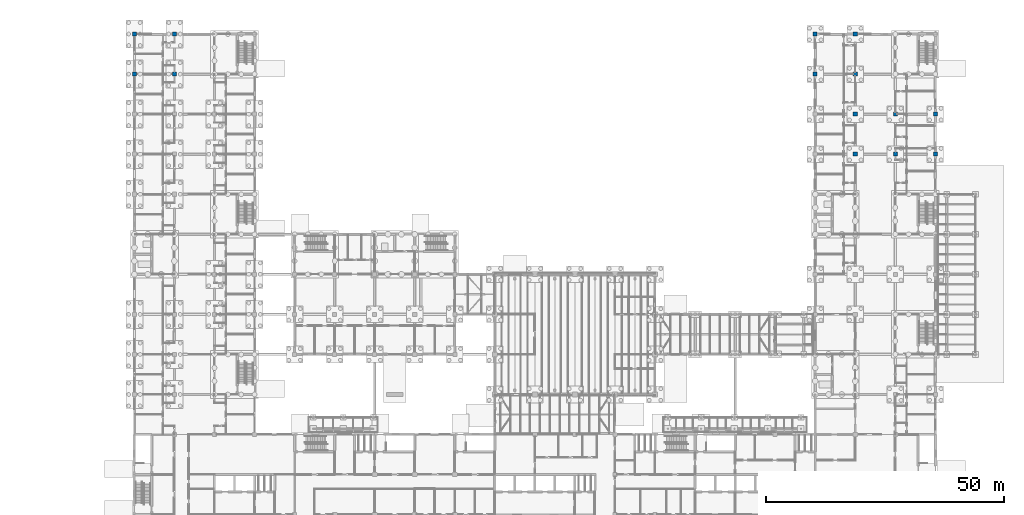
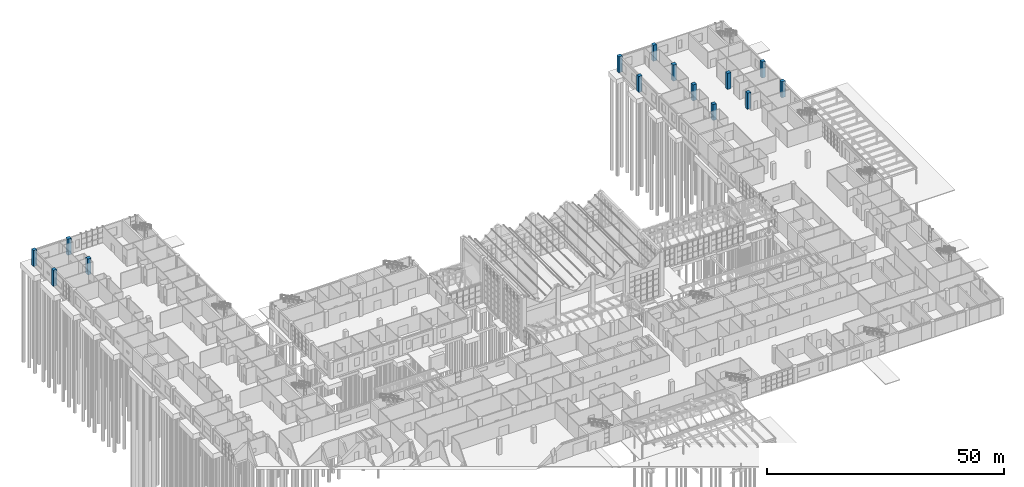
# One storey, part 29 of 138: 14 columns.
"""IFC4 building model written with IfcOpenShell, lengths in metres."""

from ifc_helpers import new_model, si_unit, direction, frame, origin, origin_2d, place, context, subcontext, project, spatial, rectangle, extrude, material, material_profile, profile_set, type_object, element, save


model = new_model("IFC4")

# Units and contexts
model_context = context("Model", 3, precision=1e-05, world=origin(), true_north=direction((0.0, 1.0)))
body_context = subcontext(model_context, "Body", "Model", "MODEL_VIEW")
ifc_project = project(units=[si_unit("LENGTHUNIT", "METRE"), si_unit("AREAUNIT", "SQUARE_METRE"), si_unit("VOLUMEUNIT", "CUBIC_METRE"), si_unit("PLANEANGLEUNIT", "RADIAN"), si_unit("MASSUNIT", "GRAM", prefix="KILO")], contexts=[model_context])

# Site, building, storey
site_placement = place(None, origin())
site = spatial("IfcSite", under=ifc_project, at=site_placement, CompositionType="ELEMENT")
building_placement = place(site_placement, origin())
building = spatial("IfcBuilding", under=site, at=building_placement, Name="Yavir Park General Hospital", CompositionType="ELEMENT")
storey_placement = place(building_placement, origin())
storey = spatial("IfcBuildingStorey", under=building, at=storey_placement, Name="L00", CompositionType="ELEMENT", Elevation=0.0)

# Columns
ifc_material = material(Name="Concrete C40/50", Category="concrete")
ifc_material_profile = material_profile(ifc_material, rectangle(XDim=0.85009765625, YDim=0.85009765625, at=origin_2d()), Name="RC850x850")
ifc_profile_set = profile_set([ifc_material_profile], Name="Concrete C40/50")
column_type = type_object("IfcColumnType", Name="RC COLUMN 850x850", PredefinedType="COLUMN", material=ifc_profile_set)
for number, where, z_axis, x_axis, name in (
    (1, (151.199951171875, 92.39990234375, 0.0), (0.0, 0.0, 1.0), (1.0, 0.0, 0.0), "C:L00:19M"),
    (2, (159.60009765625, 92.39990234375, 0.0), (0.0, 0.0, 1.0), (1.0, 0.0, 0.0), "C:L00:20M"),
    (3, (168.0, 92.39990234375, 0.0), (0.0, 0.0, 1.0), (1.0, 0.0, 0.0), "C:L00:21M"),
    (4, (151.199951171875, 100.800048828125, 0.0), (0.0, 0.0, 1.0), (1.0, 0.0, 0.0), "C:L00:19N"),
    (5, (159.60009765625, 100.800048828125, 0.0), (0.0, 0.0, 1.0), (1.0, 0.0, 0.0), "C:L00:20N"),
    (6, (168.0, 100.800048828125, 0.0), (0.0, 0.0, 1.0), (1.0, 0.0, 0.0), "C:L00:21N"),
    (7, (0.0, 109.199951171875, 0.0), (0.0, 0.0, 1.0), (1.0, 0.0, 0.0), "C:L00:1P"),
    (8, (8.39990234375, 109.199951171875, 0.0), (0.0, 0.0, 1.0), (1.0, 0.0, 0.0), "C:L00:2P"),
    (9, (142.800048828125, 109.199951171875, 0.0), (0.0, 0.0, 1.0), (1.0, 0.0, 0.0), "C:L00:18P"),
    (10, (151.199951171875, 109.199951171875, 0.0), (0.0, 0.0, 1.0), (1.0, 0.0, 0.0), "C:L00:19P"),
    (11, (0.0, 117.60009765625, 0.0), (0.0, 0.0, 1.0), (1.0, 0.0, 0.0), "C:L00:1Q"),
    (12, (8.39990234375, 117.60009765625, 0.0), (0.0, 0.0, 1.0), (1.0, 0.0, 0.0), "C:L00:2Q"),
    (13, (142.800048828125, 117.60009765625, 0.0), (0.0, 0.0, 1.0), (1.0, 0.0, 0.0), "C:L00:18Q"),
    (14, (151.199951171875, 117.60009765625, 0.0), (0.0, 0.0, 1.0), (1.0, 0.0, 0.0), "C:L00:19Q"),
):
    element("IfcColumn", number, at=place(storey_placement, frame(where, z_axis=z_axis, x_axis=x_axis)), inside=storey, type_object=column_type, Name=name, PredefinedType="COLUMN", context=body_context, shape_type="SweptSolid", body=[
        extrude(rectangle(XDim=0.85009765625, YDim=0.85009765625, at=origin_2d()), origin(), (0.0, 0.0, 1.0), 4.139892578125),
    ])

save(model, "model.ifc")
